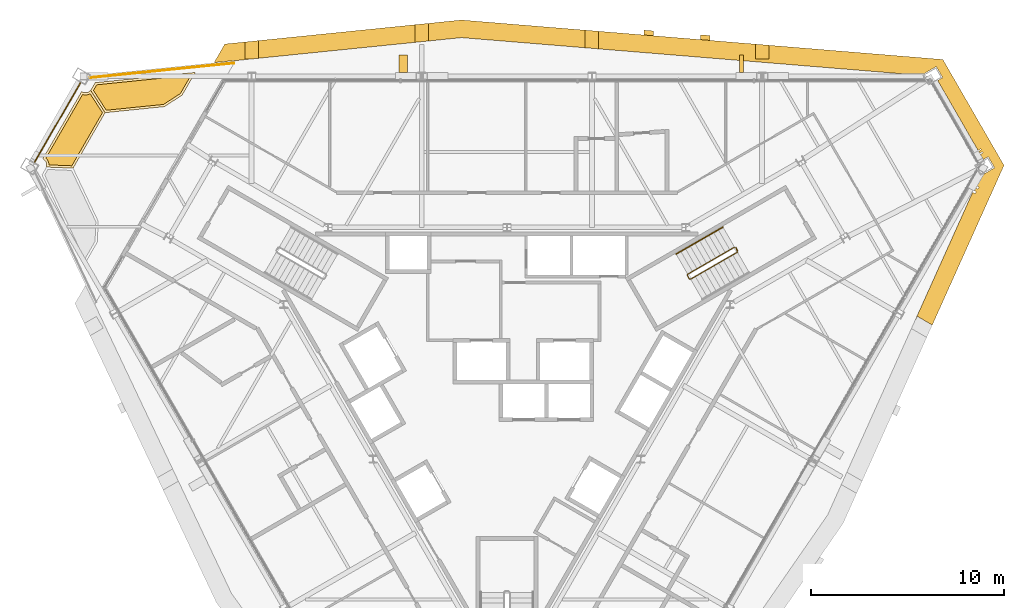
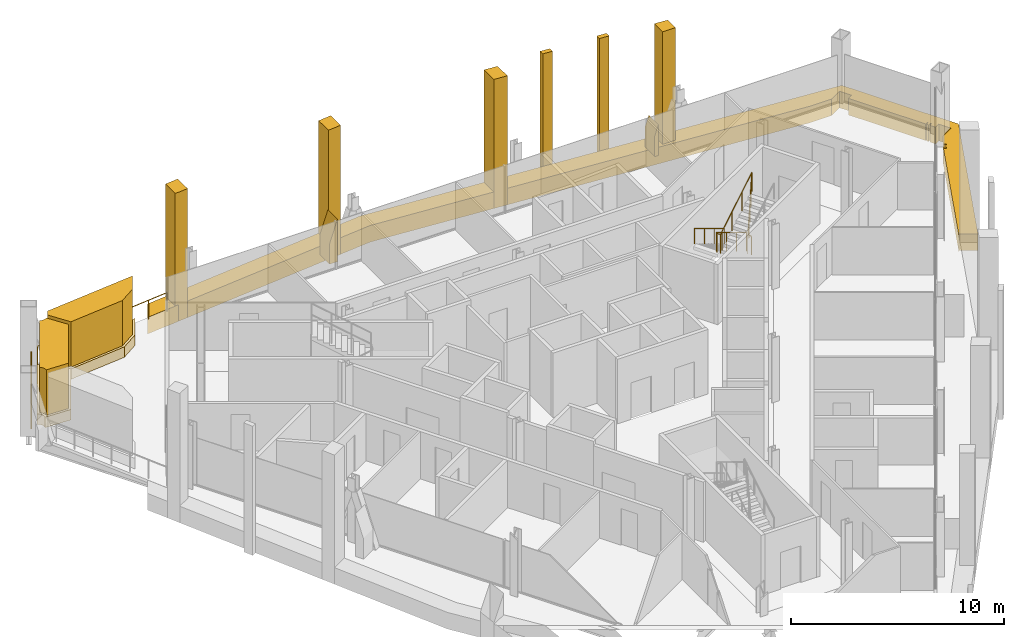
# One storey, part 14 of 14: 16 coverings, 4 railings.
"""IFC4 building model written with IfcOpenShell, lengths in metres."""

from ifc_helpers import new_model, si_unit, direction, frame, origin, origin_2d, place, context, subcontext, project, spatial, polyline, circle, outline, extrude, material, layer, layer_set, type_object, element, save


model = new_model("IFC4")

# Units and contexts
model_context = context("Model", 3, precision=1e-05, world=origin(), true_north=direction((0.0, 1.0)))
body_context = subcontext(model_context, "Body", "Model", "MODEL_VIEW")
ifc_project = project(units=[si_unit("LENGTHUNIT", "METRE"), si_unit("AREAUNIT", "SQUARE_METRE"), si_unit("VOLUMEUNIT", "CUBIC_METRE"), si_unit("PLANEANGLEUNIT", "RADIAN"), si_unit("MASSUNIT", "GRAM", prefix="KILO")], contexts=[model_context])

# Site, building, storey
site_placement = place(None, origin())
site = spatial("IfcSite", under=ifc_project, at=site_placement, CompositionType="ELEMENT")
building_placement = place(site_placement, origin())
building = spatial("IfcBuilding", under=site, at=building_placement, Name="Verrane Prism Tower", CompositionType="ELEMENT")
storey_placement = place(building_placement, frame((0.0, 0.0, 228.60009765625)))
storey = spatial("IfcBuildingStorey", under=building, at=storey_placement, Name="L57", CompositionType="ELEMENT", Elevation=228.60009765625)

# Railings
ifc_material_1 = material(Name="Stainless steel and laminated glass", Category="steel")
railing_type_1 = type_object("IfcRailingType", Name="Garden guard 1100", PredefinedType="GUARDRAIL", material=ifc_material_1)
railing_1_placement = place(storey_placement, frame((-14.12890625, 16.51220703125, 0.0)))
element("IfcRailing", 1, at=railing_1_placement, inside=storey, type_object=railing_type_1, Name="Garden guard L57 1", PredefinedType="GUARDRAIL", context=body_context, shape_type="SweptSolid", body=[
    extrude(circle(Radius=0.02392578125, at=origin_2d()), frame((0.0, 0.0, 1.076171875), z_axis=(-0.994876401124, -0.101098696764, 0.0), x_axis=(0.101098696764, -0.994876401124, 0.0)), (0.0, 0.0, 1.0), 7.486083984375),
    extrude(circle(Radius=0.02099609375, at=origin_2d()), origin(), (0.0, 0.0, 1.0), 1.052001953125),
    extrude(circle(Radius=0.02099609375, at=origin_2d()), frame((-1.06396484375, -0.108154296875, 0.0)), (0.0, 0.0, 1.0), 1.052001953125),
    extrude(circle(Radius=0.02099609375, at=origin_2d()), frame((-2.1279296875, -0.21630859375, 0.0)), (0.0, 0.0, 1.0), 1.052001953125),
    extrude(circle(Radius=0.02099609375, at=origin_2d()), frame((-3.19189453125, -0.324462890625, 0.0)), (0.0, 0.0, 1.0), 1.052001953125),
    extrude(circle(Radius=0.02099609375, at=origin_2d()), frame((-4.255859375, -0.432373046875, 0.0)), (0.0, 0.0, 1.0), 1.052001953125),
    extrude(circle(Radius=0.02099609375, at=origin_2d()), frame((-5.31982421875, -0.54052734375, 0.0)), (0.0, 0.0, 1.0), 1.052001953125),
    extrude(circle(Radius=0.02099609375, at=origin_2d()), frame((-6.3837890625, -0.648681640625, 0.0)), (0.0, 0.0, 1.0), 1.052001953125),
    extrude(circle(Radius=0.02099609375, at=origin_2d()), frame((-7.44775390625, -0.7568359375, 0.0)), (0.0, 0.0, 1.0), 1.052001953125),
])
railing_2_placement = place(storey_placement, frame((-22.08984375, 15.4833984375, 0.0)))
element("IfcRailing", 2, at=railing_2_placement, inside=storey, type_object=railing_type_1, Name="Garden guard L57 2", PredefinedType="GUARDRAIL", context=body_context, shape_type="SweptSolid", body=[
    extrude(circle(Radius=0.02392578125, at=origin_2d()), frame((0.0, 0.0, 1.076171875), z_axis=(-0.500014398087, -0.866017090885, 0.0), x_axis=(0.866017090885, -0.500014398087, 0.0)), (0.0, 0.0, 1.0), 4.729248046875),
    extrude(circle(Radius=0.02099609375, at=origin_2d()), origin(), (0.0, 0.0, 1.0), 1.052001953125),
    extrude(circle(Radius=0.02099609375, at=origin_2d()), frame((-0.59130859375, -1.02392578125, 0.0)), (0.0, 0.0, 1.0), 1.052001953125),
    extrude(circle(Radius=0.02099609375, at=origin_2d()), frame((-1.182373046875, -2.0478515625, 0.0)), (0.0, 0.0, 1.0), 1.052001953125),
    extrude(circle(Radius=0.02099609375, at=origin_2d()), frame((-1.7734375, -3.07177734375, 0.0)), (0.0, 0.0, 1.0), 1.052001953125),
    extrude(circle(Radius=0.02099609375, at=origin_2d()), frame((-2.36474609375, -4.095703125, 0.0)), (0.0, 0.0, 1.0), 1.052001953125),
])

# Coverings
ifc_material_2 = material(Name="Planting medium in stone kerb", Category="masonry")
covering_type_1 = type_object("IfcCoveringType", Name="Planter bed 600", PredefinedType="USERDEFINED", material=ifc_material_2)
covering_1_placement = place(storey_placement, origin())
element("IfcCovering", 3, at=covering_1_placement, inside=storey, type_object=covering_type_1, Name="Planter bed L57 1", ObjectType="PLANTER", PredefinedType="USERDEFINED", context=body_context, shape_type="SweptSolid", body=[
    extrude(outline(polyline([(-21.55712890625, 15.1015625), (-20.80810546875, 13.943603515625), (-17.7412109375, 14.25537109375), (-16.819580078125, 14.851806640625), (-16.1416015625, 16.0263671875), (-21.31982421875, 15.5), (-21.51953125, 15.154296875), (-21.5380859375, 15.125244140625), (-21.55712890625, 15.1015625)])), origin(), (0.0, 0.0, 1.0), 0.599853515625),
])
covering_2_placement = place(storey_placement, origin())
element("IfcCovering", 4, at=covering_2_placement, inside=storey, type_object=covering_type_1, Name="Planter bed L57 2", ObjectType="PLANTER", PredefinedType="USERDEFINED", context=body_context, shape_type="SweptSolid", body=[
    extrude(outline(polyline([(-23.848876953125, 11.126220703125), (-22.46728515625, 11.069580078125), (-20.80810546875, 13.943603515625), (-21.55712890625, 15.1015625), (-21.5595703125, 15.098388671875), (-21.58349609375, 15.07373046875), (-21.609619140625, 15.051513671875), (-21.6376953125, 15.031982421875), (-21.667724609375, 15.015380859375), (-21.69921875, 15.001708984375), (-21.73193359375, 14.9912109375), (-21.765625, 14.98388671875), (-21.7998046875, 14.97998046875), (-21.833984375, 14.9794921875), (-21.868408203125, 14.982177734375), (-21.902099609375, 14.98828125), (-21.93505859375, 14.997802734375), (-21.967041015625, 15.010498046875), (-21.99755859375, 15.026123046875), (-22.0224609375, 15.040283203125), (-24.037109375, 11.55078125), (-24.007568359375, 11.533935546875), (-23.978759765625, 11.515380859375), (-23.951904296875, 11.493896484375), (-23.92724609375, 11.469970703125), (-23.90478515625, 11.44384765625), (-23.885498046875, 11.41552734375), (-23.86865234375, 11.385498046875), (-23.85498046875, 11.35400390625), (-23.844482421875, 11.3212890625), (-23.83740234375, 11.287841796875), (-23.83349609375, 11.253662109375), (-23.832763671875, 11.21923828125), (-23.835693359375, 11.18505859375), (-23.841796875, 11.1513671875), (-23.848876953125, 11.126220703125)])), origin(), (0.0, 0.0, 1.0), 0.599853515625),
])
ifc_material_3 = material(Name="Planted shrubs and grasses", Category="other")
covering_type_2 = type_object("IfcCoveringType", Name="Planting mass 1000", PredefinedType="USERDEFINED", material=ifc_material_3)
covering_3_placement = place(storey_placement, frame((0.0, 0.0, 0.599853515625)))
element("IfcCovering", 5, at=covering_3_placement, inside=storey, type_object=covering_type_2, Name="Planting L57 1", ObjectType="PLANTING", PredefinedType="USERDEFINED", context=body_context, shape_type="SweptSolid", body=[
    extrude(outline(polyline([(-20.747314453125, 14.070556640625), (-17.7822265625, 14.371826171875), (-16.9091796875, 14.936767578125), (-16.36279296875, 15.88330078125), (-21.24658203125, 15.38671875), (-21.41259765625, 15.09912109375), (-20.747314453125, 14.070556640625)])), origin(), (0.0, 0.0, 1.0), 2.60009765625),
])
covering_4_placement = place(storey_placement, frame((0.0, 0.0, 0.599853515625)))
element("IfcCovering", 6, at=covering_4_placement, inside=storey, type_object=covering_type_2, Name="Planting L57 2", ObjectType="PLANTING", PredefinedType="USERDEFINED", context=body_context, shape_type="SweptSolid", body=[
    extrude(outline(polyline([(-23.87255859375, 11.584228515625), (-23.839599609375, 11.55224609375), (-23.8095703125, 11.51708984375), (-23.783447265625, 11.47900390625), (-23.760986328125, 11.438720703125), (-23.74267578125, 11.396484375), (-23.728515625, 11.3525390625), (-23.71875, 11.307373046875), (-23.71337890625, 11.261474609375), (-23.713134765625, 11.24072265625), (-22.534912109375, 11.192626953125), (-20.94873046875, 13.940185546875), (-21.585205078125, 14.924072265625), (-21.61474609375, 14.90771484375), (-21.656982421875, 14.88916015625), (-21.700927734375, 14.875), (-21.74609375, 14.865234375), (-21.7919921875, 14.860107421875), (-21.837890625, 14.859375), (-21.884033203125, 14.863037109375), (-21.929443359375, 14.871337890625), (-21.9736328125, 14.884033203125), (-21.97412109375, 14.884033203125), (-23.877197265625, 11.587890625), (-23.87255859375, 11.584228515625)])), origin(), (0.0, 0.0, 1.0), 2.60009765625),
])

# Railings
ifc_material_4 = material(Name="Steel A36 rail and posts, no infill", Category="steel")
railing_type_2 = type_object("IfcRailingType", Name="Stair guard 1100 steel rail and posts", PredefinedType="GUARDRAIL", material=ifc_material_4)
railing_3_placement = place(storey_placement, frame((11.78955078125, 6.97998046875, 0.16796875)))
element("IfcRailing", 7, at=railing_3_placement, inside=storey, type_object=railing_type_2, Name="Stair 1 guard", PredefinedType="GUARDRAIL", context=body_context, shape_type="SweptSolid", body=[
    extrude(circle(Radius=0.02392578125, at=origin_2d()), frame((0.0, 0.0, 1.076171875), z_axis=(-0.742366697286, -0.42866220388, 0.514917859203), x_axis=(0.500049511043, -0.865996816683, 0.0)), (0.0, 0.0, 1.0), 3.266357421875),
    extrude(circle(Radius=0.02392578125, at=origin_2d()), frame((-2.4248046875, -1.400146484375, 2.7578125), z_axis=(-0.259601060869, -0.965715946433, 0.0), x_axis=(0.965715946433, -0.259601060869, 0.0)), (0.0, 0.0, 1.0), 0.070556640625),
    extrude(circle(Radius=0.02392578125, at=origin_2d()), frame((-2.443115234375, -1.46826171875, 2.7578125), z_axis=(0.499158860599, -0.866510491504, 0.0), x_axis=(0.866510491504, 0.499158860599, 0.0)), (0.0, 0.0, 1.0), 0.199951171875),
    extrude(circle(Radius=0.02392578125, at=origin_2d()), frame((-2.34326171875, -1.6416015625, 2.7578125), z_axis=(0.374585375571, -0.100335368456, 0.921747584887), x_axis=(0.258736085224, 0.965948051503, 0.0)), (0.0, 0.0, 1.0), 0.182373046875),
    extrude(circle(Radius=0.02392578125, at=origin_2d()), frame((-2.27490234375, -1.659912109375, 2.92626953125), z_axis=(0.742366697286, 0.42866220388, 0.514917859203), x_axis=(-0.500049511043, 0.865996816683, 0.0)), (0.0, 0.0, 1.0), 3.266357421875),
    extrude(circle(Radius=0.02392578125, at=origin_2d()), frame((0.14990234375, -0.259765625, 4.60791015625), z_axis=(-0.021986835041, 0.065104730107, -0.997636182785), x_axis=(-0.947430582667, -0.3199613899, 0.0)), (0.0, 0.0, 1.0), 3.708740234375),
    extrude(circle(Radius=0.02392578125, at=origin_2d()), frame((0.068359375, -0.018310546875, 0.908203125), z_axis=(0.499158860599, -0.866510491504, 0.0), x_axis=(0.866510491504, 0.499158860599, 0.0)), (0.0, 0.0, 1.0), 0.199951171875),
    extrude(circle(Radius=0.02099609375, at=origin_2d()), origin(), (0.0, 0.0, 1.0), 1.052001953125),
    extrude(circle(Radius=0.02099609375, at=origin_2d()), frame((-0.808349609375, -0.466796875, 0.560546875)), (0.0, 0.0, 1.0), 1.052001953125),
    extrude(circle(Radius=0.02099609375, at=origin_2d()), frame((-1.616455078125, -0.933349609375, 1.121337890625)), (0.0, 0.0, 1.0), 1.052001953125),
    extrude(circle(Radius=0.02099609375, at=origin_2d()), frame((-2.4248046875, -1.400146484375, 1.681884765625)), (0.0, 0.0, 1.0), 1.052001953125),
    extrude(circle(Radius=0.02099609375, at=origin_2d()), frame((-2.443115234375, -1.46826171875, 1.681884765625)), (0.0, 0.0, 1.0), 1.052001953125),
    extrude(circle(Radius=0.02099609375, at=origin_2d()), frame((-2.34326171875, -1.6416015625, 1.681884765625)), (0.0, 0.0, 1.0), 1.052001953125),
    extrude(circle(Radius=0.02099609375, at=origin_2d()), frame((-2.27490234375, -1.659912109375, 1.85009765625)), (0.0, 0.0, 1.0), 1.052001953125),
    extrude(circle(Radius=0.02099609375, at=origin_2d()), frame((-1.466552734375, -1.193115234375, 2.41064453125)), (0.0, 0.0, 1.0), 1.052001953125),
    extrude(circle(Radius=0.02099609375, at=origin_2d()), frame((-0.658447265625, -0.7265625, 2.971435546875)), (0.0, 0.0, 1.0), 1.052001953125),
    extrude(circle(Radius=0.02099609375, at=origin_2d()), frame((0.14990234375, -0.259765625, 3.531982421875)), (0.0, 0.0, 1.0), 1.052001953125),
    extrude(circle(Radius=0.02099609375, at=origin_2d()), frame((0.12939453125, -0.199462890625, 2.60693359375)), (0.0, 0.0, 1.0), 1.052001953125),
    extrude(circle(Radius=0.02099609375, at=origin_2d()), frame((0.109130859375, -0.13916015625, 1.68212890625)), (0.0, 0.0, 1.0), 1.052001953125),
    extrude(circle(Radius=0.02099609375, at=origin_2d()), frame((0.0888671875, -0.07861328125, 0.757080078125)), (0.0, 0.0, 1.0), 1.052001953125),
    extrude(circle(Radius=0.02099609375, at=origin_2d()), frame((0.068359375, -0.018310546875, -0.16796875)), (0.0, 0.0, 1.0), 1.052001953125),
    extrude(circle(Radius=0.02099609375, at=origin_2d()), frame((0.168212890625, -0.191650390625, -0.16796875)), (0.0, 0.0, 1.0), 1.052001953125),
])
ifc_material_5 = material(Name="Steel A36 tube", Category="steel")
railing_type_3 = type_object("IfcRailingType", Name="Stair handrail 900 steel tube", PredefinedType="HANDRAIL", material=ifc_material_5)
railing_4_placement = place(storey_placement, frame((11.189453125, 8.01904296875, 0.16796875)))
element("IfcRailing", 8, at=railing_4_placement, inside=storey, type_object=railing_type_3, Name="Stair 1 handrail", PredefinedType="HANDRAIL", context=body_context, shape_type="SweptSolid", body=[
    extrude(circle(Radius=0.02392578125, at=origin_2d()), frame((0.0, 0.0, 0.8759765625), z_axis=(-0.742390482028, -0.42860119049, 0.514934356695), x_axis=(0.49998411664, -0.866034573852, 0.0)), (0.0, 0.0, 1.0), 3.26611328125),
    extrude(circle(Radius=0.02099609375, at=origin_2d()), origin(), (0.0, 0.0, 1.0), 0.851806640625),
    extrude(circle(Radius=0.02099609375, at=origin_2d()), frame((-0.808349609375, -0.466552734375, 0.560546875)), (0.0, 0.0, 1.0), 0.851806640625),
    extrude(circle(Radius=0.02099609375, at=origin_2d()), frame((-1.616455078125, -0.933349609375, 1.121337890625)), (0.0, 0.0, 1.0), 0.851806640625),
    extrude(circle(Radius=0.02099609375, at=origin_2d()), frame((-2.4248046875, -1.39990234375, 1.681884765625)), (0.0, 0.0, 1.0), 0.851806640625),
])

# Coverings
ifc_material_6 = material(Name="Warm limestone cladding", Category="masonry")
ifc_layer_1 = layer(ifc_material_6, 0.89990234375)
ifc_layer_set_1 = layer_set([ifc_layer_1], Name="Stone brace fin 900")
covering_type_3 = type_object("IfcCoveringType", Name="Stone brace fin 900", PredefinedType="CLADDING", material=ifc_layer_set_1)
covering_5_placement = place(storey_placement, frame((12.047119140625, 16.483154296875, 0.0), z_axis=(0.0, 0.0, 1.0), x_axis=(1.0, 0.0, 0.0)))
element("IfcCovering", 9, at=covering_5_placement, inside=storey, type_object=covering_type_3, Name="Stone brace fin N2 L57", PredefinedType="CLADDING", context=body_context, shape_type="SweptSolid", body=[
    extrude(outline(polyline([(0.0, 0.0), (0.196533203125, 0.0), (0.196533203125, 1.75830078125), (0.0, 1.1806640625), (0.0, 0.0)])), frame((0.0, 0.449951171875, 0.0), z_axis=(0.0, -1.0, 0.0), x_axis=(1.0, 0.0, 0.0)), (0.0, 0.0, 1.0), 0.89990234375),
])
covering_6_placement = place(storey_placement, frame((-5.5830078125, 16.483154296875, 0.0), z_axis=(0.0, 0.0, 1.0), x_axis=(1.0, 0.0, 0.0)))
element("IfcCovering", 10, at=covering_6_placement, inside=storey, type_object=covering_type_3, Name="Stone brace fin N4 L57", PredefinedType="CLADDING", context=body_context, shape_type="SweptSolid", body=[
    extrude(outline(polyline([(0.0, 0.0), (0.4287109375, 0.0), (0.4287109375, 2.44091796875), (0.0, 1.1806640625), (0.0, 0.0)])), frame((0.0, 0.449951171875, 0.0), z_axis=(0.0, -1.0, 0.0), x_axis=(1.0, 0.0, 0.0)), (0.0, 0.0, 1.0), 0.89990234375),
])
ifc_material_7 = material(Name="Warm limestone cladding", Category="masonry")
covering_type_4 = type_object("IfcCoveringType", Name="Stone mullion pier 500", PredefinedType="CLADDING", material=ifc_material_7)
covering_7_placement = place(storey_placement, frame((0.0, 0.0, -0.9501953125)))
element("IfcCovering", 11, at=covering_7_placement, inside=storey, type_object=covering_type_4, Name="Stone pier SM-N1.1 L57-L58", PredefinedType="CLADDING", context=body_context, shape_type="SweptSolid", body=[
    extrude(outline(polyline([(10.02978515625, 17.727294921875), (10.52978515625, 17.686279296875), (10.52978515625, 17.93701171875), (10.02978515625, 17.97802734375), (10.02978515625, 17.727294921875)])), origin(), (0.0, 0.0, 1.0), 7.400146484375),
])
covering_8_placement = place(storey_placement, frame((0.0, 0.0, -0.9501953125)))
element("IfcCovering", 12, at=covering_8_placement, inside=storey, type_object=covering_type_4, Name="Stone pier SM-N1.2 L57-L58", PredefinedType="CLADDING", context=body_context, shape_type="SweptSolid", body=[
    extrude(outline(polyline([(7.0927734375, 17.96826171875), (7.5927734375, 17.92724609375), (7.5927734375, 18.177978515625), (7.0927734375, 18.218994140625), (7.0927734375, 17.96826171875)])), origin(), (0.0, 0.0, 1.0), 7.400146484375),
])
ifc_material_8 = material(Name="Warm limestone cladding", Category="masonry")
covering_type_5 = type_object("IfcCoveringType", Name="Stone pier 700", PredefinedType="CLADDING", material=ifc_material_8)
covering_9_placement = place(storey_placement, frame((0.0, 0.0, -0.9501953125)))
element("IfcCovering", 13, at=covering_9_placement, inside=storey, type_object=covering_type_5, Name="Stone pier PC-N1 L57-L58", PredefinedType="CLADDING", context=body_context, shape_type="SweptSolid", body=[
    extrude(outline(polyline([(12.866943359375, 16.71630859375), (13.56689453125, 16.71630859375), (13.56689453125, 17.43701171875), (12.866943359375, 17.494384765625), (12.866943359375, 16.71630859375)])), origin(), (0.0, 0.0, 1.0), 7.400146484375),
])
covering_10_placement = place(storey_placement, frame((0.0, 0.0, -0.9501953125)))
element("IfcCovering", 14, at=covering_10_placement, inside=storey, type_object=covering_type_5, Name="Stone pier PC-N2 L57-L58", PredefinedType="CLADDING", context=body_context, shape_type="SweptSolid", body=[
    extrude(outline(polyline([(4.0556640625, 18.21728515625), (4.0556640625, 17.304443359375), (4.755615234375, 17.2470703125), (4.755615234375, 18.159912109375), (4.0556640625, 18.21728515625)])), origin(), (0.0, 0.0, 1.0), 7.400146484375),
])
covering_11_placement = place(storey_placement, frame((0.0, 0.0, -0.9501953125)))
element("IfcCovering", 15, at=covering_11_placement, inside=storey, type_object=covering_type_5, Name="Stone pier PC-N3 L57-L58", PredefinedType="CLADDING", context=body_context, shape_type="SweptSolid", body=[
    extrude(outline(polyline([(-4.755615234375, 18.5), (-4.755615234375, 17.58544921875), (-4.0556640625, 17.656494140625), (-4.0556640625, 18.571044921875), (-4.755615234375, 18.5)])), origin(), (0.0, 0.0, 1.0), 7.400146484375),
])
covering_12_placement = place(storey_placement, frame((0.0, 0.0, -0.9501953125)))
element("IfcCovering", 16, at=covering_12_placement, inside=storey, type_object=covering_type_5, Name="Stone pier PC-N4 L57-L58", PredefinedType="CLADDING", context=body_context, shape_type="SweptSolid", body=[
    extrude(outline(polyline([(-13.56689453125, 16.71630859375), (-13.30908203125, 16.71630859375), (-12.866943359375, 16.760986328125), (-12.866943359375, 17.675537109375), (-13.56689453125, 17.6044921875), (-13.56689453125, 16.71630859375)])), origin(), (0.0, 0.0, 1.0), 7.400146484375),
])
ifc_material_9 = material(Name="Warm limestone cladding", Category="masonry")
ifc_layer_2 = layer(ifc_material_9, 0.449951171875)
ifc_layer_set_2 = layer_set([ifc_layer_2], Name="Stone spandrel band 450")
covering_type_6 = type_object("IfcCoveringType", Name="Stone spandrel band 450", PredefinedType="CLADDING", material=ifc_layer_set_2)
covering_13_placement = place(storey_placement, frame((0.0, 0.0, -0.9501953125)))
element("IfcCovering", 17, at=covering_13_placement, inside=storey, type_object=covering_type_6, Name="Stone spandrel band L57 part 2", PredefinedType="CLADDING", context=body_context, shape_type="SweptSolid", body=[
    extrude(outline(polyline([(25.744140625, 11.2138671875), (22.577880859375, 16.69775390625), (13.56689453125, 17.43701171875), (13.56689453125, 16.71630859375), (12.866943359375, 16.71630859375), (12.866943359375, 17.494384765625), (4.755615234375, 18.159912109375), (4.755615234375, 17.2470703125), (20.403076171875, 15.96337890625), (21.60107421875, 15.96337890625), (22.2373046875, 16.330810546875), (22.5673828125, 15.75927734375), (22.309326171875, 15.610107421875), (24.40087890625, 11.987548828125), (24.54248046875, 12.069091796875), (24.56494140625, 12.0302734375), (24.42333984375, 11.948486328125), (24.48486328125, 11.842041015625), (24.626220703125, 11.923583984375), (24.661865234375, 11.86181640625), (24.5205078125, 11.7802734375), (24.673828125, 11.514404296875), (24.927490234375, 11.660888671875), (25.25732421875, 11.089111328125), (24.909912109375, 10.888427734375), (24.881103515625, 10.8388671875), (24.852294921875, 10.85546875), (24.624267578125, 10.7236328125), (24.3046875, 10.170166015625), (24.447998046875, 10.087646484375), (24.39404296875, 9.994384765625), (24.250732421875, 10.076904296875), (24.182861328125, 9.958984375), (24.168212890625, 9.9267578125), (24.30859375, 9.845947265625), (24.25244140625, 9.748779296875), (24.1220703125, 9.82421875), (21.16064453125, 3.2333984375), (21.167236328125, 3.22998046875), (21.26025390625, 3.39111328125), (22.029296875, 2.947265625), (25.744140625, 11.2138671875)])), origin(), (0.0, 0.0, 1.0), 0.9501953125),
])
covering_14_placement = place(storey_placement, frame((0.0, 0.0, -0.9501953125)))
element("IfcCovering", 18, at=covering_14_placement, inside=storey, type_object=covering_type_6, Name="Stone spandrel band L57 part 8", PredefinedType="CLADDING", context=body_context, shape_type="SweptSolid", body=[
    extrude(outline(polyline([(4.0556640625, 17.304443359375), (4.0556640625, 18.21728515625), (-2.358642578125, 18.74365234375), (-4.0556640625, 18.571044921875), (-4.0556640625, 17.656494140625), (-2.349609375, 17.830078125), (4.0556640625, 17.304443359375)])), origin(), (0.0, 0.0, 1.0), 0.9501953125),
])
covering_15_placement = place(storey_placement, frame((0.0, 0.0, -0.9501953125)))
element("IfcCovering", 19, at=covering_15_placement, inside=storey, type_object=covering_type_6, Name="Stone spandrel band L57 part 9", PredefinedType="CLADDING", context=body_context, shape_type="SweptSolid", body=[
    extrude(outline(polyline([(-4.755615234375, 17.58544921875), (-4.755615234375, 18.5), (-12.866943359375, 17.675537109375), (-12.866943359375, 16.760986328125), (-4.755615234375, 17.58544921875)])), origin(), (0.0, 0.0, 1.0), 0.9501953125),
])
covering_16_placement = place(storey_placement, frame((0.0, 0.0, -0.9501953125)))
element("IfcCovering", 20, at=covering_16_placement, inside=storey, type_object=covering_type_6, Name="Stone spandrel band L57 part 10", PredefinedType="CLADDING", context=body_context, shape_type="SweptSolid", body=[
    extrude(outline(polyline([(-13.382568359375, 16.708740234375), (-13.383056640625, 16.71630859375), (-13.56689453125, 16.71630859375), (-13.56689453125, 17.6044921875), (-14.610107421875, 17.49853515625), (-15.164794921875, 16.53759765625), (-14.03662109375, 16.65234375), (-14.04248046875, 16.6416015625), (-13.382568359375, 16.708740234375)])), origin(), (0.0, 0.0, 1.0), 0.9501953125),
])

save(model, "model.ifc")
